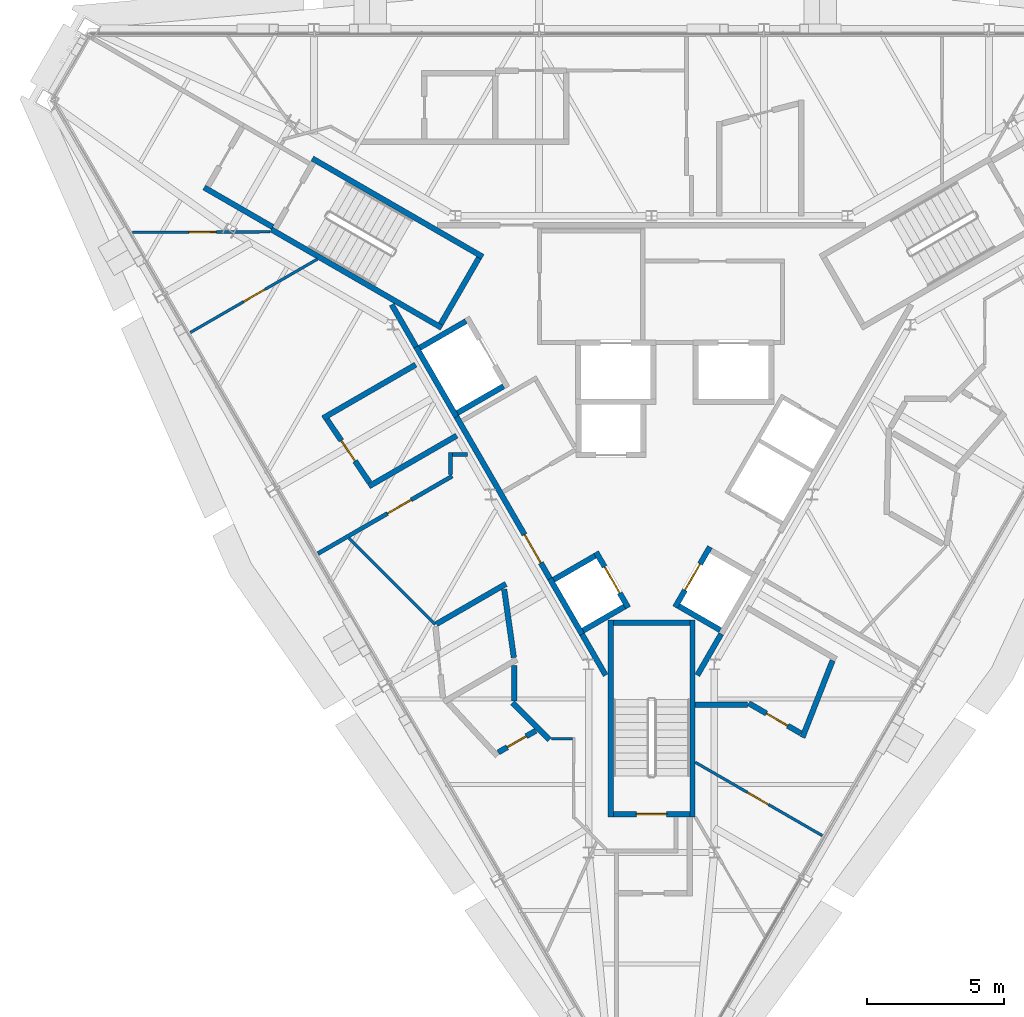
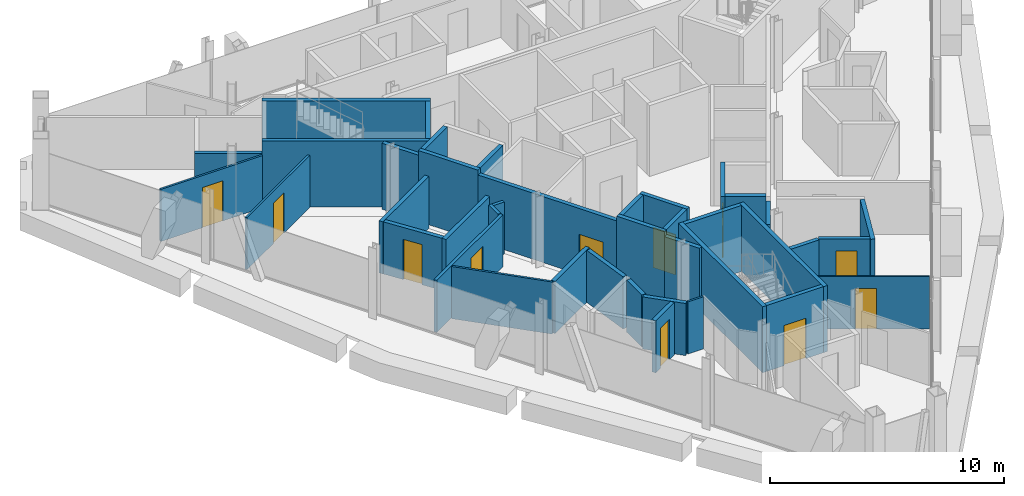
# One storey, part 8 of 13: 40 walls, 11 doors, 11 openings.
"""IFC4 building model written with IfcOpenShell, lengths in metres."""

from ifc_helpers import new_model, si_unit, direction, frame, frame_2d, origin, place, context, subcontext, project, spatial, rectangle, extrude, material, layer, layer_set, type_object, element, fill, save


model = new_model("IFC4")

# Units and contexts
model_context = context("Model", 3, precision=1e-05, world=origin(), true_north=direction((0.0, 1.0)))
body_context = subcontext(model_context, "Body", "Model", "MODEL_VIEW")
ifc_project = project(units=[si_unit("LENGTHUNIT", "METRE"), si_unit("AREAUNIT", "SQUARE_METRE"), si_unit("VOLUMEUNIT", "CUBIC_METRE"), si_unit("PLANEANGLEUNIT", "RADIAN"), si_unit("MASSUNIT", "GRAM", prefix="KILO")], contexts=[model_context])

# Site, building, storey
site_placement = place(None, origin())
site = spatial("IfcSite", under=ifc_project, at=site_placement, CompositionType="ELEMENT")
building_placement = place(site_placement, origin())
building = spatial("IfcBuilding", under=site, at=building_placement, Name="Verrane Prism Tower", CompositionType="ELEMENT")
storey_placement = place(building_placement, frame((0.0, 0.0, 278.800048828125)))
storey = spatial("IfcBuildingStorey", under=building, at=storey_placement, Name="L70", CompositionType="ELEMENT", Elevation=278.800048828125)

# Wall
ifc_material_1 = material(Name="Gypsum board partition", Category="other")
ifc_layer_1 = layer(ifc_material_1, 0.199951171875)
ifc_layer_set_1 = layer_set([ifc_layer_1], Name="CW-200 core boundary wall 2 h")
wall_type_1 = type_object("IfcWallType", Name="CW-200 core boundary wall 2 h", PredefinedType="PARTITIONING", material=ifc_layer_set_1)
wall_1_placement = place(storey_placement, frame((-9.509033203125, 3.550537109375, 0.0), z_axis=(0.0, 0.0, 1.0), x_axis=(0.499999136801, -0.866025902152, 0.0)))
element("IfcWall", 1, at=wall_1_placement, inside=storey, type_object=wall_type_1, Name="Core boundary wall CW3-001", PredefinedType="PARTITIONING", context=body_context, shape_type="SweptSolid", body=[
    extrude(rectangle(XDim=1.7822265625, YDim=0.199951171875, at=frame_2d((0.89111328125, 0.0))), origin(), (0.0, 0.0, 1.0), 3.449951171875),
])

# Wall, opening, door
wall_2_placement = place(storey_placement, frame((-7.14111328125, -0.551025390625, 0.0), z_axis=(0.0, 0.0, 1.0), x_axis=(0.500001302854, -0.86602465158, 0.0)))
wall_2 = element("IfcWall", 2, at=wall_2_placement, inside=storey, type_object=wall_type_1, Name="Core boundary wall CW3-003", PredefinedType="PARTITIONING", context=body_context, shape_type="SweptSolid", body=[
    extrude(rectangle(XDim=6.84619140625, YDim=0.199951171875, at=frame_2d((3.423095703125, 0.0))), origin(), (0.0, 0.0, 1.0), 3.449951171875),
])
opening_1_placement = place(wall_2_placement, frame((4.98291015625, 0.0, 0.0)))
opening_1 = element("IfcOpeningElement", 3, at=opening_1_placement, cuts=wall_2, Name="Opening D69510", PredefinedType="OPENING", context=body_context, shape_type="SweptSolid", body=[
    extrude(rectangle(XDim=1.199951171875, YDim=2.10009765625, at=frame_2d((0.60009765625, 1.050048828125))), frame((0.0, 0.10986328125, 0.0), z_axis=(0.0, -1.0, 0.0), x_axis=(1.0, 0.0, 0.0)), (0.0, 0.0, 1.0), 0.219970703125),
])
ifc_material_2 = material(Name="Timber veneered door leaf", Category="wood")
door_type_1 = type_object("IfcDoorType", Name="DR-1200x2100 FD60 single leaf lift lobby", OperationType="NOTDEFINED", PredefinedType="DOOR", material=ifc_material_2)
door_1_placement = place(opening_1_placement, origin())
door_1 = element("IfcDoor", 4, at=door_1_placement, inside=storey, type_object=door_type_1, Name="Lift lobby door D69510", OperationType="SINGLE_SWING_RIGHT", OverallHeight=2.10009765625, OverallWidth=1.199951171875, PredefinedType="DOOR", context=body_context, shape_type="SweptSolid", body=[
    extrude(rectangle(XDim=1.199951171875, YDim=2.10009765625, at=frame_2d((0.60009765625, 1.050048828125))), frame((0.0, 0.02490234375, 0.0), z_axis=(0.0, -1.0, 0.0), x_axis=(1.0, 0.0, 0.0)), (0.0, 0.0, 1.0), 0.050048828125),
])
fill(opening_1, door_1)

# Walls
wall_3_placement = place(storey_placement, frame((-2.541015625, -8.51904296875, 0.0), z_axis=(0.0, 0.0, 1.0), x_axis=(0.500016142392, -0.86601608377, 0.0)))
element("IfcWall", 5, at=wall_3_placement, inside=storey, type_object=wall_type_1, Name="Core boundary wall CW3-004", PredefinedType="PARTITIONING", context=body_context, shape_type="SweptSolid", body=[
    extrude(rectangle(XDim=1.72705078125, YDim=0.199951171875, at=frame_2d((0.863525390625, 0.0))), origin(), (0.0, 0.0, 1.0), 3.449951171875),
])
wall_4_placement = place(storey_placement, frame((1.677490234375, -10.0146484375, 0.0), z_axis=(0.0, 0.0, 1.0), x_axis=(0.49983532306, 0.866120459187, 0.0)))
element("IfcWall", 6, at=wall_4_placement, inside=storey, type_object=wall_type_1, Name="Core boundary wall CW3-005", PredefinedType="PARTITIONING", context=body_context, shape_type="SweptSolid", body=[
    extrude(rectangle(XDim=1.74755859375, YDim=0.199951171875, at=frame_2d((0.873779296875, 0.0))), origin(), (0.0, 0.0, 1.0), 3.449951171875),
])
ifc_material_3 = material(Name="Concrete C40/50", Category="concrete")
ifc_layer_2 = layer(ifc_material_3, 0.199951171875)
ifc_layer_set_2 = layer_set([ifc_layer_2], Name="CW-200 stair core wall concrete C40/50 3 h")
wall_type_2 = type_object("IfcWallType", Name="CW-200 stair core wall concrete C40/50 3 h", PredefinedType="PARTITIONING", material=ifc_layer_set_2)
for number, where, z_axis, x_axis, name in (
    (7, (-7.67822265625, 2.700927734375, 0.0), (0.0, 0.0, 1.0), (-0.866018442252, 0.500012057535, 0.0), "Stair 2 enclosure wall"),
    (8, (-6.17822265625, 5.299072265625, 0.0), (0.0, 0.0, 1.0), (-0.866033125095, 0.499986626058, 0.0), "Stair 2 enclosure wall"),
):
    element("IfcWall", number, at=place(storey_placement, frame(where, z_axis=z_axis, x_axis=x_axis)), inside=storey, type_object=wall_type_2, Name=name, PredefinedType="PARTITIONING", context=body_context, shape_type="SweptSolid", body=[
        extrude(rectangle(XDim=7.199951171875, YDim=0.199951171875, at=frame_2d((3.60009765625, 0.0))), origin(), (0.0, 0.0, 1.0), 3.449951171875),
    ])
wall_5_placement = place(storey_placement, frame((-6.314697265625, 5.262451171875, 0.0), z_axis=(0.0, 0.0, 1.0), x_axis=(-0.500049511043, -0.865996816683, 0.0)))
element("IfcWall", 9, at=wall_5_placement, inside=storey, type_object=wall_type_2, Name="Stair 2 enclosure wall", PredefinedType="PARTITIONING", context=body_context, shape_type="SweptSolid", body=[
    extrude(rectangle(XDim=2.800048828125, YDim=0.199951171875, at=frame_2d((1.39990234375, 0.0))), origin(), (0.0, 0.0, 1.0), 3.449951171875),
])

# Wall, opening, door
wall_6_placement = place(storey_placement, frame((-1.39990234375, -15.10009765625, 0.0), z_axis=(0.0, 0.0, 1.0), x_axis=(1.0, 0.0, 0.0)))
wall_6 = element("IfcWall", 10, at=wall_6_placement, inside=storey, type_object=wall_type_2, Name="Stair 3 enclosure wall", PredefinedType="PARTITIONING", context=body_context, shape_type="SweptSolid", body=[
    extrude(rectangle(XDim=2.7998046875, YDim=0.199951171875, at=frame_2d((1.39990234375, 0.0))), origin(), (0.0, 0.0, 1.0), 3.449951171875),
])
opening_2_placement = place(wall_6_placement, frame((0.85009765625, 0.0, 0.0)))
opening_2 = element("IfcOpeningElement", 11, at=opening_2_placement, cuts=wall_6, Name="Opening D69502", PredefinedType="OPENING", context=body_context, shape_type="SweptSolid", body=[
    extrude(rectangle(XDim=1.10009765625, YDim=2.10009765625, at=frame_2d((0.550048828125, 1.050048828125))), frame((0.0, 0.10986328125, 0.0), z_axis=(0.0, -1.0, 0.0), x_axis=(1.0, 0.0, 0.0)), (0.0, 0.0, 1.0), 0.219970703125),
])
ifc_material_4 = material(Name="Timber veneered door leaf", Category="wood")
door_type_2 = type_object("IfcDoorType", Name="DR-1100x2100 FD90 single leaf stair", OperationType="NOTDEFINED", PredefinedType="DOOR", material=ifc_material_4)
door_2_placement = place(opening_2_placement, origin())
door_2 = element("IfcDoor", 12, at=door_2_placement, inside=storey, type_object=door_type_2, Name="Stair 3 door", OperationType="SINGLE_SWING_LEFT", OverallHeight=2.10009765625, OverallWidth=1.10009765625, PredefinedType="DOOR", context=body_context, shape_type="SweptSolid", body=[
    extrude(rectangle(XDim=1.10009765625, YDim=2.10009765625, at=frame_2d((0.550048828125, 1.050048828125))), frame((0.0, 0.02490234375, 0.0), z_axis=(0.0, -1.0, 0.0), x_axis=(1.0, 0.0, 0.0)), (0.0, 0.0, 1.0), 0.050048828125),
])
fill(opening_2, door_2)

# Walls
for number, where, z_axis, x_axis, name in (
    (13, (1.5, -8.0, 0.0), (0.0, 0.0, 1.0), (0.0, -1.0, 0.0), "Stair 3 enclosure wall"),
    (14, (-1.5, -8.0, 0.0), (0.0, 0.0, 1.0), (0.0, -1.0, 0.0), "Stair 3 enclosure wall"),
):
    element("IfcWall", number, at=place(storey_placement, frame(where, z_axis=z_axis, x_axis=x_axis)), inside=storey, type_object=wall_type_2, Name=name, PredefinedType="PARTITIONING", context=body_context, shape_type="SweptSolid", body=[
        extrude(rectangle(XDim=7.199951171875, YDim=0.199951171875, at=frame_2d((3.60009765625, 0.0))), origin(), (0.0, 0.0, 1.0), 3.449951171875),
    ])
wall_7_placement = place(storey_placement, frame((-1.39990234375, -8.10009765625, 0.0), z_axis=(0.0, 0.0, 1.0), x_axis=(1.0, 0.0, 0.0)))
element("IfcWall", 15, at=wall_7_placement, inside=storey, type_object=wall_type_2, Name="Stair 3 enclosure wall", PredefinedType="PARTITIONING", context=body_context, shape_type="SweptSolid", body=[
    extrude(rectangle(XDim=2.7998046875, YDim=0.199951171875, at=frame_2d((1.39990234375, 0.0))), origin(), (0.0, 0.0, 1.0), 3.449951171875),
])
ifc_material_5 = material(Name="Gypsum board shaft wall assembly", Category="other")
ifc_layer_3 = layer(ifc_material_5, 0.199951171875)
ifc_layer_set_3 = layer_set([ifc_layer_3], Name="HW-200 lift shaft wall 2 h")
wall_type_3 = type_object("IfcWallType", Name="HW-200 lift shaft wall 2 h", PredefinedType="PARTITIONING", material=ifc_layer_set_3)
for number, where, z_axis, x_axis, name in (
    (16, (-2.50537109375, -8.38037109375, 0.0), (0.0, 0.0, 1.0), (0.866002029911, 0.500040482552, 0.0), "Lift shaft wall"),
    (17, (-3.580322265625, -6.5185546875, 0.0), (0.0, 0.0, 1.0), (0.866002029911, 0.500040482552, 0.0), "Lift shaft wall"),
):
    element("IfcWall", number, at=place(storey_placement, frame(where, z_axis=z_axis, x_axis=x_axis)), inside=storey, type_object=wall_type_3, Name=name, PredefinedType="PARTITIONING", context=body_context, shape_type="SweptSolid", body=[
        extrude(rectangle(XDim=1.749755859375, YDim=0.199951171875, at=frame_2d((0.875, 0.0))), origin(), (0.0, 0.0, 1.0), 3.699951171875),
    ])
for number, where, z_axis, x_axis, name in (
    (18, (-7.10546875, -0.4130859375, 0.0), (0.0, 0.0, 1.0), (0.866000020948, 0.500043961785, 0.0), "Lift shaft wall"),
    (19, (-8.48046875, 1.968505859375, 0.0), (0.0, 0.0, 1.0), (0.866000020948, 0.500043961785, 0.0), "Lift shaft wall"),
):
    element("IfcWall", number, at=place(storey_placement, frame(where, z_axis=z_axis, x_axis=x_axis)), inside=storey, type_object=wall_type_3, Name=name, PredefinedType="PARTITIONING", context=body_context, shape_type="SweptSolid", body=[
        extrude(rectangle(XDim=1.949951171875, YDim=0.199951171875, at=frame_2d((0.97509765625, 0.0))), origin(), (0.0, 0.0, 1.0), 3.699951171875),
    ])

# Wall, opening, door
wall_8_placement = place(storey_placement, frame((0.86328125, -7.524658203125, 0.0), z_axis=(0.0, 0.0, 1.0), x_axis=(0.499990435942, 0.866030925526, 0.0)))
wall_8 = element("IfcWall", 20, at=wall_8_placement, inside=storey, type_object=wall_type_3, Name="Lift shaft wall", PredefinedType="PARTITIONING", context=body_context, shape_type="SweptSolid", body=[
    extrude(rectangle(XDim=2.5498046875, YDim=0.199951171875, at=frame_2d((1.27490234375, 0.0))), origin(), (0.0, 0.0, 1.0), 3.699951171875),
])
opening_3_placement = place(wall_8_placement, frame((0.72509765625, 0.0, 0.0)))
opening_3 = element("IfcOpeningElement", 21, at=opening_3_placement, cuts=wall_8, Name="Opening D69505", PredefinedType="OPENING", context=body_context, shape_type="SweptSolid", body=[
    extrude(rectangle(XDim=1.10009765625, YDim=2.10009765625, at=frame_2d((0.550048828125, 1.050048828125))), frame((0.0, 0.10986328125, 0.0), z_axis=(0.0, -1.0, 0.0), x_axis=(1.0, 0.0, 0.0)), (0.0, 0.0, 1.0), 0.219970703125),
])
ifc_material_6 = material(Name="Stainless steel sliding landing door", Category="steel")
door_type_3 = type_object("IfcDoorType", Name="LD-1100x2100 lift landing door FD90 sliding", OperationType="NOTDEFINED", PredefinedType="DOOR", material=ifc_material_6)
door_3_placement = place(opening_3_placement, origin())
door_3 = element("IfcDoor", 22, at=door_3_placement, inside=storey, type_object=door_type_3, Name="Bank C lift 3 landing door", OperationType="SLIDING_TO_LEFT", OverallHeight=2.10009765625, OverallWidth=1.10009765625, PredefinedType="DOOR", context=body_context, shape_type="SweptSolid", body=[
    extrude(rectangle(XDim=1.10009765625, YDim=2.10009765625, at=frame_2d((0.550048828125, 1.050048828125))), frame((0.0, 0.02490234375, 0.0), z_axis=(0.0, -1.0, 0.0), x_axis=(1.0, 0.0, 0.0)), (0.0, 0.0, 1.0), 0.050048828125),
])
fill(opening_3, door_3)

wall_9_placement = place(storey_placement, frame((-0.853271484375, -7.5419921875, 0.0), z_axis=(0.0, 0.0, 1.0), x_axis=(-0.500016218704, 0.866016039709, 0.0)))
wall_9 = element("IfcWall", 23, at=wall_9_placement, inside=storey, type_object=wall_type_3, Name="Lift shaft wall", PredefinedType="PARTITIONING", context=body_context, shape_type="SweptSolid", body=[
    extrude(rectangle(XDim=2.35009765625, YDim=0.199951171875, at=frame_2d((1.175048828125, 0.0))), origin(), (0.0, 0.0, 1.0), 3.699951171875),
])
opening_4_placement = place(wall_9_placement, frame((0.625, 0.0, 0.0)))
opening_4 = element("IfcOpeningElement", 24, at=opening_4_placement, cuts=wall_9, Name="Opening D69503", PredefinedType="OPENING", context=body_context, shape_type="SweptSolid", body=[
    extrude(rectangle(XDim=1.10009765625, YDim=2.10009765625, at=frame_2d((0.550048828125, 1.050048828125))), frame((0.0, 0.10986328125, 0.0), z_axis=(0.0, -1.0, 0.0), x_axis=(1.0, 0.0, 0.0)), (0.0, 0.0, 1.0), 0.219970703125),
])
door_4_placement = place(opening_4_placement, origin())
door_4 = element("IfcDoor", 25, at=door_4_placement, inside=storey, type_object=door_type_3, Name="Bank C lift 1 landing door", OperationType="SLIDING_TO_LEFT", OverallHeight=2.10009765625, OverallWidth=1.10009765625, PredefinedType="DOOR", context=body_context, shape_type="SweptSolid", body=[
    extrude(rectangle(XDim=1.10009765625, YDim=2.10009765625, at=frame_2d((0.550048828125, 1.050048828125))), frame((0.0, 0.02490234375, 0.0), z_axis=(0.0, -1.0, 0.0), x_axis=(1.0, 0.0, 0.0)), (0.0, 0.0, 1.0), 0.050048828125),
])
fill(opening_4, door_4)

# Walls
wall_10_placement = place(storey_placement, frame((-2.5419921875, -8.51708984375, 0.0), z_axis=(0.0, 0.0, 1.0), x_axis=(-0.500016218704, 0.866016039709, 0.0)))
element("IfcWall", 26, at=wall_10_placement, inside=storey, type_object=wall_type_3, Name="Lift shaft wall", PredefinedType="PARTITIONING", context=body_context, shape_type="SweptSolid", body=[
    extrude(rectangle(XDim=2.35009765625, YDim=0.199951171875, at=frame_2d((1.175048828125, 0.0))), origin(), (0.0, 0.0, 1.0), 3.699951171875),
])
wall_11_placement = place(storey_placement, frame((-7.14208984375, -0.549560546875, 0.0), z_axis=(0.0, 0.0, 1.0), x_axis=(-0.49997559174, 0.866039495442, 0.0)))
element("IfcWall", 27, at=wall_11_placement, inside=storey, type_object=wall_type_3, Name="Lift shaft wall", PredefinedType="PARTITIONING", context=body_context, shape_type="SweptSolid", body=[
    extrude(rectangle(XDim=2.949951171875, YDim=0.199951171875, at=frame_2d((1.47509765625, 0.0))), origin(), (0.0, 0.0, 1.0), 3.699951171875),
])
wall_12_placement = place(storey_placement, frame((2.515380859375, -8.36328125, 0.0), z_axis=(0.0, 0.0, 1.0), x_axis=(-0.866036909293, 0.499980071345, 0.0)))
element("IfcWall", 28, at=wall_12_placement, inside=storey, type_object=wall_type_3, Name="Lift shaft wall", PredefinedType="PARTITIONING", context=body_context, shape_type="SweptSolid", body=[
    extrude(rectangle(XDim=1.75, YDim=0.199951171875, at=frame_2d((0.875, 0.0))), origin(), (0.0, 0.0, 1.0), 3.699951171875),
])

# Wall, opening, door
ifc_material_7 = material(Name="Gypsum board partition", Category="other")
ifc_layer_4 = layer(ifc_material_7, 0.10009765625)
ifc_layer_set_4 = layer_set([ifc_layer_4], Name="PW-100 room partition")
wall_type_4 = type_object("IfcWallType", Name="PW-100 room partition", PredefinedType="PARTITIONING", material=ifc_layer_set_4)
wall_13_placement = place(storey_placement, frame((-19.00537109375, 6.19580078125, 0.0), z_axis=(0.0, 0.0, 1.0), x_axis=(0.999993403855, 0.003632113191, 0.0)))
wall_13 = element("IfcWall", 29, at=wall_13_placement, inside=storey, type_object=wall_type_4, Name="Room partition 002", PredefinedType="PARTITIONING", context=body_context, shape_type="SweptSolid", body=[
    extrude(rectangle(XDim=5.041259765625, YDim=0.10009765625, at=frame_2d((2.5205078125, 0.0))), origin(), (0.0, 0.0, 1.0), 2.722900390625),
])
opening_5_placement = place(wall_13_placement, frame((2.074462890625, 0.0, 0.0)))
opening_5 = element("IfcOpeningElement", 30, at=opening_5_placement, cuts=wall_13, Name="Opening D69022", PredefinedType="OPENING", context=body_context, shape_type="SweptSolid", body=[
    extrude(rectangle(XDim=1.0, YDim=2.10009765625, at=frame_2d((0.5, 1.050048828125))), frame((0.0, 0.06005859375, 0.0), z_axis=(0.0, -1.0, 0.0), x_axis=(1.0, 0.0, 0.0)), (0.0, 0.0, 1.0), 0.1201171875),
])
ifc_material_8 = material(Name="Timber veneered door leaf", Category="wood")
door_type_4 = type_object("IfcDoorType", Name="DR-1000x2100 single leaf inner", OperationType="NOTDEFINED", PredefinedType="DOOR", material=ifc_material_8)
door_5_placement = place(opening_5_placement, origin())
door_5 = element("IfcDoor", 31, at=door_5_placement, inside=storey, type_object=door_type_4, Name="Study door", OperationType="SINGLE_SWING_RIGHT", OverallHeight=2.10009765625, OverallWidth=1.0, PredefinedType="DOOR", context=body_context, shape_type="SweptSolid", body=[
    extrude(rectangle(XDim=1.0, YDim=2.10009765625, at=frame_2d((0.5, 1.050048828125))), frame((0.0, 0.02490234375, 0.0), z_axis=(0.0, -1.0, 0.0), x_axis=(1.0, 0.0, 0.0)), (0.0, 0.0, 1.0), 0.050048828125),
])
fill(opening_5, door_5)

wall_14_placement = place(storey_placement, frame((-16.87744140625, 2.531005859375, 0.0), z_axis=(0.0, 0.0, 1.0), x_axis=(0.865988563531, 0.500063803762, 0.0)))
wall_14 = element("IfcWall", 32, at=wall_14_placement, inside=storey, type_object=wall_type_4, Name="Room partition 003", PredefinedType="PARTITIONING", context=body_context, shape_type="SweptSolid", body=[
    extrude(rectangle(XDim=5.365478515625, YDim=0.10009765625, at=frame_2d((2.6826171875, 0.0))), origin(), (0.0, 0.0, 1.0), 2.722900390625),
])
opening_6_placement = place(wall_14_placement, frame((2.253662109375, 0.0, 0.0)))
opening_6 = element("IfcOpeningElement", 33, at=opening_6_placement, cuts=wall_14, Name="Opening D69019", PredefinedType="OPENING", context=body_context, shape_type="SweptSolid", body=[
    extrude(rectangle(XDim=0.89990234375, YDim=2.10009765625, at=frame_2d((0.449951171875, 1.050048828125))), frame((0.0, 0.06005859375, 0.0), z_axis=(0.0, -1.0, 0.0), x_axis=(1.0, 0.0, 0.0)), (0.0, 0.0, 1.0), 0.1201171875),
])
ifc_material_9 = material(Name="Timber veneered door leaf", Category="wood")
door_type_5 = type_object("IfcDoorType", Name="DR-900x2100 single leaf inner", OperationType="NOTDEFINED", PredefinedType="DOOR", material=ifc_material_9)
door_6_placement = place(opening_6_placement, origin())
door_6 = element("IfcDoor", 34, at=door_6_placement, inside=storey, type_object=door_type_5, Name="Living And Dining Room door", OperationType="SINGLE_SWING_LEFT", OverallHeight=2.10009765625, OverallWidth=0.89990234375, PredefinedType="DOOR", context=body_context, shape_type="SweptSolid", body=[
    extrude(rectangle(XDim=0.89990234375, YDim=2.10009765625, at=frame_2d((0.449951171875, 1.050048828125))), frame((0.0, 0.02490234375, 0.0), z_axis=(0.0, -1.0, 0.0), x_axis=(1.0, 0.0, 0.0)), (0.0, 0.0, 1.0), 0.050048828125),
])
fill(opening_6, door_6)

# Walls
wall_15_placement = place(storey_placement, frame((-11.070556640625, -5.00830078125, 0.0), z_axis=(0.0, 0.0, 1.0), x_axis=(0.707079435951, -0.707134125365, 0.0)))
element("IfcWall", 35, at=wall_15_placement, inside=storey, type_object=wall_type_4, Name="Room partition 014", PredefinedType="PARTITIONING", context=body_context, shape_type="SweptSolid", body=[
    extrude(rectangle(XDim=4.464111328125, YDim=0.10009765625, at=frame_2d((2.23193359375, 0.0))), origin(), (0.0, 0.0, 1.0), 2.722900390625),
])
wall_16_placement = place(storey_placement, frame((-3.6640625, -12.339111328125, 0.0), z_axis=(0.0, 0.0, 1.0), x_axis=(1.0, 0.0, 0.0)))
element("IfcWall", 36, at=wall_16_placement, inside=storey, type_object=wall_type_4, Name="Room partition 032", PredefinedType="PARTITIONING", context=body_context, shape_type="SweptSolid", body=[
    extrude(rectangle(XDim=0.76416015625, YDim=0.10009765625, at=frame_2d((0.382080078125, 0.0))), origin(), (0.0, 0.0, 1.0), 2.722900390625),
])

# Wall, opening, door
wall_17_placement = place(storey_placement, frame((6.24658203125, -15.8828125, 0.0), z_axis=(0.0, 0.0, 1.0), x_axis=(-0.866008267802, 0.500029679218, 0.0)))
wall_17 = element("IfcWall", 37, at=wall_17_placement, inside=storey, type_object=wall_type_4, Name="Room partition 046", PredefinedType="PARTITIONING", context=body_context, shape_type="SweptSolid", body=[
    extrude(rectangle(XDim=5.365478515625, YDim=0.10009765625, at=frame_2d((2.6826171875, 0.0))), origin(), (0.0, 0.0, 1.0), 2.722900390625),
])
opening_7_placement = place(wall_17_placement, frame((2.265380859375, 0.0, 0.0)))
opening_7 = element("IfcOpeningElement", 38, at=opening_7_placement, cuts=wall_17, Name="Opening D69001", PredefinedType="OPENING", context=body_context, shape_type="SweptSolid", body=[
    extrude(rectangle(XDim=0.89990234375, YDim=2.10009765625, at=frame_2d((0.449951171875, 1.050048828125))), frame((0.0, 0.06005859375, 0.0), z_axis=(0.0, -1.0, 0.0), x_axis=(1.0, 0.0, 0.0)), (0.0, 0.0, 1.0), 0.1201171875),
])
door_7_placement = place(opening_7_placement, origin())
door_7 = element("IfcDoor", 39, at=door_7_placement, inside=storey, type_object=door_type_5, Name="Living And Dining Room door", OperationType="SINGLE_SWING_RIGHT", OverallHeight=2.10009765625, OverallWidth=0.89990234375, PredefinedType="DOOR", context=body_context, shape_type="SweptSolid", body=[
    extrude(rectangle(XDim=0.89990234375, YDim=2.10009765625, at=frame_2d((0.449951171875, 1.050048828125))), frame((0.0, 0.02490234375, 0.0), z_axis=(0.0, -1.0, 0.0), x_axis=(1.0, 0.0, 0.0)), (0.0, 0.0, 1.0), 0.050048828125),
])
fill(opening_7, door_7)

ifc_material_10 = material(Name="Gypsum board partition", Category="other")
ifc_layer_5 = layer(ifc_material_10, 0.14990234375)
ifc_layer_set_5 = layer_set([ifc_layer_5], Name="PW-150 demising wall 1 h")
wall_type_5 = type_object("IfcWallType", Name="PW-150 demising wall 1 h", PredefinedType="PARTITIONING", material=ifc_layer_set_5)
wall_18_placement = place(storey_placement, frame((-12.205078125, -5.562255859375, 0.0), z_axis=(0.0, 0.0, 1.0), x_axis=(0.866006351856, 0.500032997455, 0.0)))
wall_18 = element("IfcWall", 40, at=wall_18_placement, inside=storey, type_object=wall_type_5, Name="Demising wall 010", PredefinedType="PARTITIONING", context=body_context, shape_type="SweptSolid", body=[
    extrude(rectangle(XDim=5.6708984375, YDim=0.14990234375, at=frame_2d((2.83544921875, 0.0))), origin(), (0.0, 0.0, 1.0), 2.722900390625),
])
opening_8_placement = place(wall_18_placement, frame((2.935302734375, 0.0, 0.0)))
opening_8 = element("IfcOpeningElement", 41, at=opening_8_placement, cuts=wall_18, Name="Opening D69020", PredefinedType="OPENING", context=body_context, shape_type="SweptSolid", body=[
    extrude(rectangle(XDim=1.0, YDim=2.10009765625, at=frame_2d((0.5, 1.050048828125))), frame((0.0, 0.0849609375, 0.0), z_axis=(0.0, -1.0, 0.0), x_axis=(1.0, 0.0, 0.0)), (0.0, 0.0, 1.0), 0.169921875),
])
ifc_material_11 = material(Name="Timber veneered door leaf", Category="wood")
door_type_6 = type_object("IfcDoorType", Name="DR-1000x2100 FD20 single leaf inner", OperationType="NOTDEFINED", PredefinedType="DOOR", material=ifc_material_11)
door_8_placement = place(opening_8_placement, origin())
door_8 = element("IfcDoor", 42, at=door_8_placement, inside=storey, type_object=door_type_6, Name="Entrance Foyer door", OperationType="SINGLE_SWING_RIGHT", OverallHeight=2.10009765625, OverallWidth=1.0, PredefinedType="DOOR", context=body_context, shape_type="SweptSolid", body=[
    extrude(rectangle(XDim=1.0, YDim=2.10009765625, at=frame_2d((0.5, 1.050048828125))), frame((0.0, 0.02490234375, 0.0), z_axis=(0.0, -1.0, 0.0), x_axis=(1.0, 0.0, 0.0)), (0.0, 0.0, 1.0), 0.050048828125),
])
fill(opening_8, door_8)

# Walls
wall_19_placement = place(storey_placement, frame((-7.35888671875, -2.6640625, 0.0), z_axis=(0.0, 0.0, 1.0), x_axis=(0.0, 1.0, 0.0)))
element("IfcWall", 43, at=wall_19_placement, inside=storey, type_object=wall_type_5, Name="Demising wall 023", PredefinedType="PARTITIONING", context=body_context, shape_type="SweptSolid", body=[
    extrude(rectangle(XDim=0.80810546875, YDim=0.14990234375, at=frame_2d((0.404052734375, 0.0))), origin(), (0.0, 0.0, 1.0), 2.722900390625),
])
wall_20_placement = place(storey_placement, frame((-7.283935546875, -1.930908203125, 0.0), z_axis=(0.0, 0.0, 1.0), x_axis=(1.0, 0.0, 0.0)))
element("IfcWall", 44, at=wall_20_placement, inside=storey, type_object=wall_type_5, Name="Demising wall 024", PredefinedType="PARTITIONING", context=body_context, shape_type="SweptSolid", body=[
    extrude(rectangle(XDim=0.546875, YDim=0.14990234375, at=frame_2d((0.2734375, 0.0))), origin(), (0.0, 0.0, 1.0), 2.722900390625),
])
ifc_material_12 = material(Name="Gypsum board partition", Category="other")
ifc_layer_6 = layer(ifc_material_12, 0.199951171875)
ifc_layer_set_6 = layer_set([ifc_layer_6], Name="PW-200 plumbing wall")
wall_type_6 = type_object("IfcWallType", Name="PW-200 plumbing wall", PredefinedType="PARTITIONING", material=ifc_layer_set_6)
wall_21_placement = place(storey_placement, frame((-16.37451171875, 7.838134765625, 0.0), z_axis=(0.0, 0.0, 1.0), x_axis=(0.865912083802, -0.500196224622, 0.0)))
element("IfcWall", 45, at=wall_21_placement, inside=storey, type_object=wall_type_6, Name="Plumbing wall 005", PredefinedType="PARTITIONING", context=body_context, shape_type="SweptSolid", body=[
    extrude(rectangle(XDim=2.899169921875, YDim=0.199951171875, at=frame_2d((1.44970703125, 0.0))), origin(), (0.0, 0.0, 1.0), 2.722900390625),
])

# Wall, opening, door
wall_22_placement = place(storey_placement, frame((-11.87841796875, -0.650146484375, 0.0), z_axis=(0.0, 0.0, 1.0), x_axis=(0.55887703026, -0.829250544195, 0.0)))
wall_22 = element("IfcWall", 46, at=wall_22_placement, inside=storey, type_object=wall_type_6, Name="Plumbing wall 011", PredefinedType="PARTITIONING", context=body_context, shape_type="SweptSolid", body=[
    extrude(rectangle(XDim=2.78759765625, YDim=0.199951171875, at=frame_2d((1.393798828125, 0.0))), origin(), (0.0, 0.0, 1.0), 2.722900390625),
])
opening_9_placement = place(wall_22_placement, frame((0.93994140625, 0.0, 0.0)))
opening_9 = element("IfcOpeningElement", 47, at=opening_9_placement, cuts=wall_22, Name="Opening D69021", PredefinedType="OPENING", context=body_context, shape_type="SweptSolid", body=[
    extrude(rectangle(XDim=0.89990234375, YDim=2.10009765625, at=frame_2d((0.449951171875, 1.050048828125))), frame((0.0, 0.10986328125, 0.0), z_axis=(0.0, -1.0, 0.0), x_axis=(1.0, 0.0, 0.0)), (0.0, 0.0, 1.0), 0.219970703125),
])
door_9_placement = place(opening_9_placement, origin())
door_9 = element("IfcDoor", 48, at=door_9_placement, inside=storey, type_object=door_type_5, Name="Kitchen door", OperationType="SINGLE_SWING_LEFT", OverallHeight=2.10009765625, OverallWidth=0.89990234375, PredefinedType="DOOR", context=body_context, shape_type="SweptSolid", body=[
    extrude(rectangle(XDim=0.89990234375, YDim=2.10009765625, at=frame_2d((0.449951171875, 1.050048828125))), frame((0.0, 0.02490234375, 0.0), z_axis=(0.0, -1.0, 0.0), x_axis=(1.0, 0.0, 0.0)), (0.0, 0.0, 1.0), 0.050048828125),
])
fill(opening_9, door_9)

# Walls
wall_23_placement = place(storey_placement, frame((-12.026611328125, -0.60888671875, 0.0), z_axis=(0.0, 0.0, 1.0), x_axis=(0.866011328839, 0.500024377727, 0.0)))
element("IfcWall", 49, at=wall_23_placement, inside=storey, type_object=wall_type_6, Name="Plumbing wall 012", PredefinedType="PARTITIONING", context=body_context, shape_type="SweptSolid", body=[
    extrude(rectangle(XDim=3.919677734375, YDim=0.199951171875, at=frame_2d((1.9599609375, 0.0))), origin(), (0.0, 0.0, 1.0), 2.722900390625),
])
wall_24_placement = place(storey_placement, frame((-10.345703125, -3.10302734375, 0.0), z_axis=(0.0, 0.0, 1.0), x_axis=(0.865958782482, 0.500115373731, 0.0)))
element("IfcWall", 50, at=wall_24_placement, inside=storey, type_object=wall_type_6, Name="Plumbing wall 016", PredefinedType="PARTITIONING", context=body_context, shape_type="SweptSolid", body=[
    extrude(rectangle(XDim=3.7109375, YDim=0.199951171875, at=frame_2d((1.85546875, 0.0))), origin(), (0.0, 0.0, 1.0), 2.722900390625),
])
wall_25_placement = place(storey_placement, frame((-7.87060546875, -8.139892578125, 0.0), z_axis=(0.0, 0.0, 1.0), x_axis=(0.866106676517, 0.49985920507, 0.0)))
element("IfcWall", 51, at=wall_25_placement, inside=storey, type_object=wall_type_6, Name="Plumbing wall 020", PredefinedType="PARTITIONING", context=body_context, shape_type="SweptSolid", body=[
    extrude(rectangle(XDim=2.936279296875, YDim=0.199951171875, at=frame_2d((1.46826171875, 0.0))), origin(), (0.0, 0.0, 1.0), 2.722900390625),
])

# Wall, opening, door
wall_26_placement = place(storey_placement, frame((-5.607177734375, -12.837890625, 0.0), z_axis=(0.0, 0.0, 1.0), x_axis=(0.866095534226, 0.499878510834, 0.0)))
wall_26 = element("IfcWall", 52, at=wall_26_placement, inside=storey, type_object=wall_type_6, Name="Plumbing wall 027", PredefinedType="PARTITIONING", context=body_context, shape_type="SweptSolid", body=[
    extrude(rectangle(XDim=1.580078125, YDim=0.199951171875, at=frame_2d((0.7900390625, 0.0))), origin(), (0.0, 0.0, 1.0), 2.722900390625),
])
opening_10_placement = place(wall_26_placement, frame((0.3798828125, 0.0, 0.0)))
opening_10 = element("IfcOpeningElement", 53, at=opening_10_placement, cuts=wall_26, Name="Opening D69027", PredefinedType="OPENING", context=body_context, shape_type="SweptSolid", body=[
    extrude(rectangle(XDim=0.800048828125, YDim=2.10009765625, at=frame_2d((0.39990234375, 1.050048828125))), frame((0.0, 0.10986328125, 0.0), z_axis=(0.0, -1.0, 0.0), x_axis=(1.0, 0.0, 0.0)), (0.0, 0.0, 1.0), 0.219970703125),
])
ifc_material_13 = material(Name="Timber veneered door leaf", Category="wood")
door_type_7 = type_object("IfcDoorType", Name="DR-800x2100 single leaf inner", OperationType="NOTDEFINED", PredefinedType="DOOR", material=ifc_material_13)
door_10_placement = place(opening_10_placement, origin())
door_10 = element("IfcDoor", 54, at=door_10_placement, inside=storey, type_object=door_type_7, Name="Bathroom door", OperationType="SINGLE_SWING_LEFT", OverallHeight=2.10009765625, OverallWidth=0.800048828125, PredefinedType="DOOR", context=body_context, shape_type="SweptSolid", body=[
    extrude(rectangle(XDim=0.800048828125, YDim=2.10009765625, at=frame_2d((0.39990234375, 1.050048828125))), frame((0.0, 0.02490234375, 0.0), z_axis=(0.0, -1.0, 0.0), x_axis=(1.0, 0.0, 0.0)), (0.0, 0.0, 1.0), 0.050048828125),
])
fill(opening_10, door_10)

# Walls
wall_27_placement = place(storey_placement, frame((-5.392822265625, -6.87060546875, 0.0), z_axis=(0.0, 0.0, 1.0), x_axis=(0.140960508483, -0.990015219604, 0.0)))
element("IfcWall", 55, at=wall_27_placement, inside=storey, type_object=wall_type_6, Name="Plumbing wall 028", PredefinedType="PARTITIONING", context=body_context, shape_type="SweptSolid", body=[
    extrude(rectangle(XDim=2.521728515625, YDim=0.199951171875, at=frame_2d((1.2607421875, 0.0))), origin(), (0.0, 0.0, 1.0), 2.722900390625),
])
wall_28_placement = place(storey_placement, frame((-5.01904296875, -10.948974609375, 0.0), z_axis=(0.0, 0.0, 1.0), x_axis=(0.0, 1.0, 0.0)))
element("IfcWall", 56, at=wall_28_placement, inside=storey, type_object=wall_type_6, Name="Plumbing wall 029", PredefinedType="PARTITIONING", context=body_context, shape_type="SweptSolid", body=[
    extrude(rectangle(XDim=1.282958984375, YDim=0.199951171875, at=frame_2d((0.6416015625, 0.0))), origin(), (0.0, 0.0, 1.0), 2.722900390625),
])
wall_29_placement = place(storey_placement, frame((-5.089599609375, -11.018310546875, 0.0), z_axis=(0.0, 0.0, 1.0), x_axis=(0.707106781187, -0.707106781187, 0.0)))
element("IfcWall", 57, at=wall_29_placement, inside=storey, type_object=wall_type_6, Name="Plumbing wall 030", PredefinedType="PARTITIONING", context=body_context, shape_type="SweptSolid", body=[
    extrude(rectangle(XDim=1.917724609375, YDim=0.199951171875, at=frame_2d((0.958984375, 0.0))), origin(), (0.0, 0.0, 1.0), 2.722900390625),
])
wall_30_placement = place(storey_placement, frame((1.60009765625, -11.089111328125, 0.0), z_axis=(0.0, 0.0, 1.0), x_axis=(1.0, 0.0, 0.0)))
element("IfcWall", 58, at=wall_30_placement, inside=storey, type_object=wall_type_6, Name="Plumbing wall 047", PredefinedType="PARTITIONING", context=body_context, shape_type="SweptSolid", body=[
    extrude(rectangle(XDim=1.908935546875, YDim=0.199951171875, at=frame_2d((0.95458984375, 0.0))), origin(), (0.0, 0.0, 1.0), 2.722900390625),
])

# Wall, opening, door
wall_31_placement = place(storey_placement, frame((3.557373046875, -11.0390625, 0.0), z_axis=(0.0, 0.0, 1.0), x_axis=(0.865932364885, -0.500161113487, 0.0)))
wall_31 = element("IfcWall", 59, at=wall_31_placement, inside=storey, type_object=wall_type_6, Name="Plumbing wall 051", PredefinedType="PARTITIONING", context=body_context, shape_type="SweptSolid", body=[
    extrude(rectangle(XDim=2.199951171875, YDim=0.199951171875, at=frame_2d((1.10009765625, 0.0))), origin(), (0.0, 0.0, 1.0), 2.722900390625),
])
opening_11_placement = place(wall_31_placement, frame((0.75, 0.0, 0.0)))
opening_11 = element("IfcOpeningElement", 60, at=opening_11_placement, cuts=wall_31, Name="Opening D69003", PredefinedType="OPENING", context=body_context, shape_type="SweptSolid", body=[
    extrude(rectangle(XDim=0.89990234375, YDim=2.10009765625, at=frame_2d((0.449951171875, 1.050048828125))), frame((0.0, 0.10986328125, 0.0), z_axis=(0.0, -1.0, 0.0), x_axis=(1.0, 0.0, 0.0)), (0.0, 0.0, 1.0), 0.219970703125),
])
door_11_placement = place(opening_11_placement, origin())
door_11 = element("IfcDoor", 61, at=door_11_placement, inside=storey, type_object=door_type_5, Name="Kitchen door", OperationType="SINGLE_SWING_LEFT", OverallHeight=2.10009765625, OverallWidth=0.89990234375, PredefinedType="DOOR", context=body_context, shape_type="SweptSolid", body=[
    extrude(rectangle(XDim=0.89990234375, YDim=2.10009765625, at=frame_2d((0.449951171875, 1.050048828125))), frame((0.0, 0.02490234375, 0.0), z_axis=(0.0, -1.0, 0.0), x_axis=(1.0, 0.0, 0.0)), (0.0, 0.0, 1.0), 0.050048828125),
])
fill(opening_11, door_11)

# Wall
wall_32_placement = place(storey_placement, frame((5.525634765625, -12.2900390625, 0.0), z_axis=(0.0, 0.0, 1.0), x_axis=(0.364786545928, 0.931091174864, 0.0)))
element("IfcWall", 62, at=wall_32_placement, inside=storey, type_object=wall_type_6, Name="Plumbing wall 054", PredefinedType="PARTITIONING", context=body_context, shape_type="SweptSolid", body=[
    extrude(rectangle(XDim=3.01904296875, YDim=0.199951171875, at=frame_2d((1.509521484375, 0.0))), origin(), (0.0, 0.0, 1.0), 2.722900390625),
])

save(model, "model.ifc")
